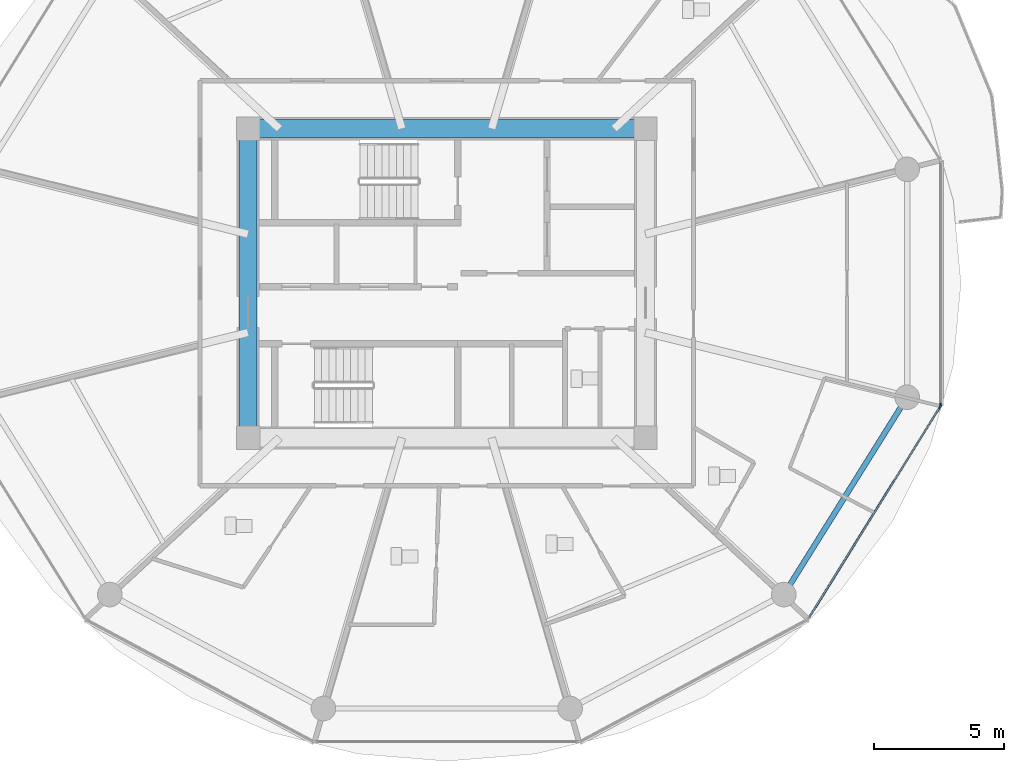
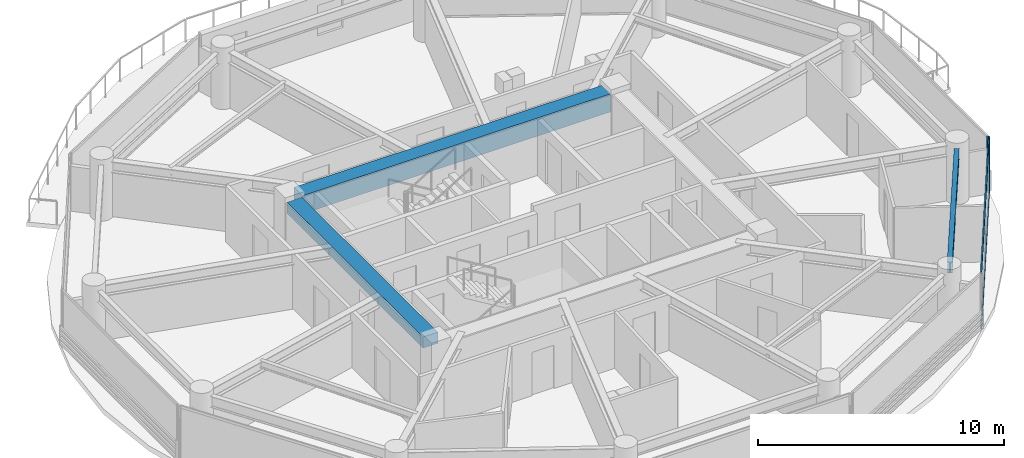
# One storey, part 11 of 27: 4 members, 3 beams, 2 elements without a shape of their own.
"""IFC4 building model written with IfcOpenShell, lengths in metres."""

from ifc_helpers import new_model, si_unit, direction, frame, origin, origin_2d, place, context, subcontext, project, spatial, rectangle, i_section, extrude, source, transform, mapped, material, layer, layer_set, material_profile, profile_set, type_object, type_shapes, element, aggregate, save


model = new_model("IFC4")

# Units and contexts
model_context = context("Model", 3, precision=1e-05, world=origin(), true_north=direction((0.0, 1.0)))
body_context = subcontext(model_context, "Body", "Model", "MODEL_VIEW")
ifc_project = project(units=[si_unit("LENGTHUNIT", "METRE"), si_unit("AREAUNIT", "SQUARE_METRE"), si_unit("VOLUMEUNIT", "CUBIC_METRE"), si_unit("PLANEANGLEUNIT", "RADIAN"), si_unit("MASSUNIT", "GRAM", prefix="KILO")], contexts=[model_context])

# Site, building, storey
site_placement = place(None, origin())
site = spatial("IfcSite", under=ifc_project, at=site_placement, CompositionType="ELEMENT")
building_placement = place(site_placement, origin())
building = spatial("IfcBuilding", under=site, at=building_placement, Name="Norrkilde Senior Care Towers", CompositionType="ELEMENT")
storey_placement = place(building_placement, frame((0.0, 0.0, 52.10009765625)))
storey = spatial("IfcBuildingStorey", under=building, at=storey_placement, Name="L15", CompositionType="ELEMENT", Elevation=52.10009765625)

# Beams
ifc_material_1 = material(Name="Concrete C60/75", Category="concrete")
ifc_material_profile_1 = material_profile(ifc_material_1, rectangle(XDim=0.699951171875, YDim=0.89990234375, at=origin_2d()), Name="RC BM 700x900")
ifc_profile_set_1 = profile_set([ifc_material_profile_1], Name="Concrete C60/75")
beam_type_1 = type_object("IfcBeamType", Name="Core Coupling Girder 700x900", PredefinedType="USERDEFINED", material=ifc_profile_set_1)
shared_shape_1 = source(origin(), body_context, "Body", "SweptSolid", [
    extrude(rectangle(XDim=0.699951171875, YDim=0.89990234375, at=origin_2d()), origin(), (0.0, 0.0, 1.0), 14.43994140625),
])
type_shapes(beam_type_1, [shared_shape_1])
beam_1_placement = place(storey_placement, frame((20.780029296875, 5.949951171875, 2.33984375), z_axis=(1.0, 0.0, 0.0), x_axis=(0.0, 1.0, 0.0)))
element("IfcBeam", 1, at=beam_1_placement, inside=storey, type_object=beam_type_1, Name="L15 Core E N Coupling Girder", ObjectType="GIRDER", PredefinedType="USERDEFINED", context=body_context, shape_type="MappedRepresentation", body=[
    mapped(shared_shape_1, transform((0.0, 0.0, 0.0), x_axis=(1.0, 0.0, 0.0), y_axis=(0.0, 1.0, 0.0), z_axis=(0.0, 0.0, 1.0), scale=1.0)),
])
ifc_material_profile_2 = material_profile(ifc_material_1, rectangle(XDim=0.699951171875, YDim=0.550048828125, at=origin_2d()), Name="RC BM 700x550")
ifc_profile_set_2 = profile_set([ifc_material_profile_2], Name="Concrete C60/75")
beam_type_2 = type_object("IfcBeamType", Name="Core Portal Coupling Beam 700x550", PredefinedType="USERDEFINED", material=ifc_profile_set_2)
shared_shape_2 = source(origin(), body_context, "Body", "SweptSolid", [
    extrude(rectangle(XDim=0.699951171875, YDim=0.550048828125, at=origin_2d()), origin(), (0.0, 0.0, 1.0), 11.0400390625),
])
type_shapes(beam_type_2, [shared_shape_2])
beam_2_placement = place(storey_placement, frame((20.35009765625, -5.52001953125, 2.514892578125), z_axis=(0.0, 1.0, 0.0), x_axis=(-1.0, 0.0, 0.0)))
element("IfcBeam", 2, at=beam_2_placement, inside=storey, type_object=beam_type_2, Name="L15 Core E W Coupling Girder", ObjectType="GIRDER", PredefinedType="USERDEFINED", context=body_context, shape_type="MappedRepresentation", body=[
    mapped(shared_shape_2, transform((0.0, 0.0, 0.0), x_axis=(1.0, 0.0, 0.0), y_axis=(0.0, 1.0, 0.0), z_axis=(0.0, 0.0, 1.0), scale=1.0)),
])
ifc_material_2 = material(Name="Steel S355", Category="steel")
ifc_material_profile_3 = material_profile(ifc_material_2, i_section(OverallWidth=0.2099609375, OverallDepth=0.550048828125, WebThickness=0.010986328125, FlangeThickness=0.01708984375, FilletRadius=0.02392578125, at=origin_2d()), Name="IPE 550")
ifc_profile_set_3 = profile_set([ifc_material_profile_3], Name="Steel S355")
beam_type_3 = type_object("IfcBeamType", Name="Perimeter Ring Spandrel Z1 IPE550", PredefinedType="SPANDREL", material=ifc_profile_set_3)
shared_shape_3 = source(origin(), body_context, "Body", "SweptSolid", [
    extrude(i_section(OverallWidth=0.2099609375, OverallDepth=0.550048828125, WebThickness=0.010986328125, FlangeThickness=0.01708984375, FilletRadius=0.02392578125, at=origin_2d()), origin(), (0.0, 0.0, 1.0), 8.090576171875),
])
type_shapes(beam_type_3, [shared_shape_3])
beam_3_placement = place(storey_placement, frame((41.2060546875, -11.61669921875, 2.514892578125), z_axis=(0.530004364821, 0.84799491347, 0.0), x_axis=(-0.84799491347, 0.530004364821, 0.0)))
element("IfcBeam", 3, at=beam_3_placement, inside=storey, type_object=beam_type_3, Name="L15 Drum E Perimeter Spandrel 11", PredefinedType="SPANDREL", context=body_context, shape_type="MappedRepresentation", body=[
    mapped(shared_shape_3, transform((0.0, 0.0, 0.0), x_axis=(1.0, 0.0, 0.0), y_axis=(0.0, 1.0, 0.0), z_axis=(0.0, 0.0, 1.0), scale=1.0)),
])

# Curtain wall, member
ifc_material_3 = material(Name="Triple Low-E Insulated Glazing", Category="glass")
ifc_layer = layer(ifc_material_3, 0.199951171875)
ifc_layer_set = layer_set([ifc_layer], Name="Triple Low-E Insulated Glazing")
curtain_wall_type = type_object("IfcCurtainWallType", Name="CW2 Zone 1 Memory Care Curtain Wall", PredefinedType="NOTDEFINED", material=ifc_layer_set)
curtain_wall_1_placement = place(storey_placement, origin())
curtain_wall_1 = element("IfcCurtainWall", 4, at=curtain_wall_1_placement, inside=storey, type_object=curtain_wall_type, Name="L15 Drum E Curtain Wall 10", PredefinedType="NOTDEFINED")
ifc_material_4 = material(Name="Anodised Aluminium", Category="aluminium")
ifc_material_profile_4 = material_profile(ifc_material_4, rectangle(XDim=0.06494140625, YDim=0.159912109375, at=origin_2d()), Name="ALU MULL 65x160")
ifc_profile_set_4 = profile_set([ifc_material_profile_4], Name="Anodised Aluminium")
member_type_1 = type_object("IfcMemberType", Name="Curtain Wall Mullion Z1-Z2 65x160", PredefinedType="MULLION", material=ifc_profile_set_4)
shared_shape_4 = source(origin(), body_context, "Body", "SweptSolid", [
    extrude(rectangle(XDim=0.06494140625, YDim=0.159912109375, at=origin_2d()), origin(), (0.0, 0.0, 1.0), 2.789794921875),
])
type_shapes(member_type_1, [shared_shape_4])
member_1_placement = place(storey_placement, frame((46.9921875, -4.7587890625, 0.0), z_axis=(0.0, 0.0, 1.0), x_axis=(0.849305943117, -0.527900951871, 0.0)))
member_1 = element("IfcMember", 5, at=member_1_placement, type_object=member_type_1, Name="CW-2 mullion 1", PredefinedType="MULLION", context=body_context, shape_type="MappedRepresentation", body=[
    mapped(shared_shape_4, transform((0.0, 0.0, 0.0), x_axis=(1.0, 0.0, 0.0), y_axis=(0.0, 1.0, 0.0), z_axis=(0.0, 0.0, 1.0), scale=1.0)),
])

curtain_wall_2_placement = place(storey_placement, origin())
curtain_wall_2 = element("IfcCurtainWall", 6, at=curtain_wall_2_placement, inside=storey, type_object=curtain_wall_type, Name="L15 Drum E Curtain Wall 11", PredefinedType="NOTDEFINED")
member_2_placement = place(storey_placement, frame((47.009521484375, -4.69873046875, 0.0), z_axis=(0.0, 0.0, 1.0), x_axis=(1.0, 0.0, 0.0)))
member_2 = element("IfcMember", 7, at=member_2_placement, type_object=member_type_1, Name="CW-2 mullion 2", PredefinedType="MULLION", context=body_context, shape_type="MappedRepresentation", body=[
    mapped(shared_shape_4, transform((0.0, 0.0, 0.0), x_axis=(1.0, 0.0, 0.0), y_axis=(0.0, 1.0, 0.0), z_axis=(0.0, 0.0, 1.0), scale=1.0)),
])
aggregate(curtain_wall_2, [member_2])

# Member
ifc_material_profile_5 = material_profile(ifc_material_4, rectangle(XDim=0.06005859375, YDim=0.1201171875, at=origin_2d()), Name="ALU TRAN 60x120")
ifc_profile_set_5 = profile_set([ifc_material_profile_5], Name="Anodised Aluminium")
member_type_2 = type_object("IfcMemberType", Name="Curtain Wall Transom Typical 60x120", PredefinedType="USERDEFINED", material=ifc_profile_set_5)
shared_shape_5 = source(origin(), body_context, "Body", "SweptSolid", [
    extrude(rectangle(XDim=0.06005859375, YDim=0.1201171875, at=origin_2d()), origin(), (0.0, 0.0, 1.0), 9.5185546875),
])
type_shapes(member_type_2, [shared_shape_5])
member_3_placement = place(storey_placement, frame((46.97509765625, -4.786376953125, 0.02978515625), z_axis=(-0.527901620669, -0.849305527413, 0.0), x_axis=(0.849305527413, -0.527901620669, 0.0)))
member_3 = element("IfcMember", 8, at=member_3_placement, type_object=member_type_2, Name="CW-2 transom 1.1", ObjectType="TRANSOM", PredefinedType="USERDEFINED", context=body_context, shape_type="MappedRepresentation", body=[
    mapped(shared_shape_5, transform((0.0, 0.0, 0.0), x_axis=(1.0, 0.0, 0.0), y_axis=(0.0, 1.0, 0.0), z_axis=(0.0, 0.0, 1.0), scale=1.0)),
])

member_4_placement = place(storey_placement, frame((46.97509765625, -4.786376953125, 2.760009765625), z_axis=(-0.527901620669, -0.849305527413, 0.0), x_axis=(0.849305527413, -0.527901620669, 0.0)))
member_4 = element("IfcMember", 9, at=member_4_placement, type_object=member_type_2, Name="CW-2 transom 1.2", ObjectType="TRANSOM", PredefinedType="USERDEFINED", context=body_context, shape_type="MappedRepresentation", body=[
    mapped(shared_shape_5, transform((0.0, 0.0, 0.0), x_axis=(1.0, 0.0, 0.0), y_axis=(0.0, 1.0, 0.0), z_axis=(0.0, 0.0, 1.0), scale=1.0)),
])

aggregate(curtain_wall_1, [member_1, member_3, member_4])

save(model, "model.ifc")
